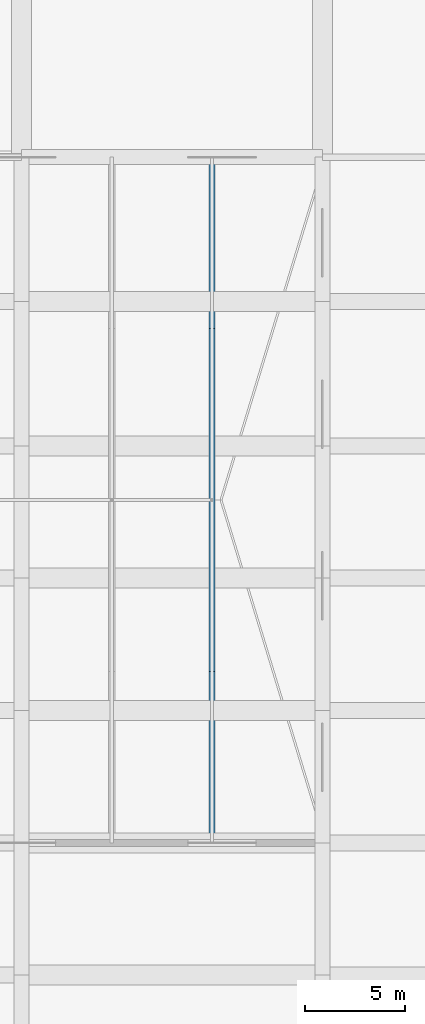
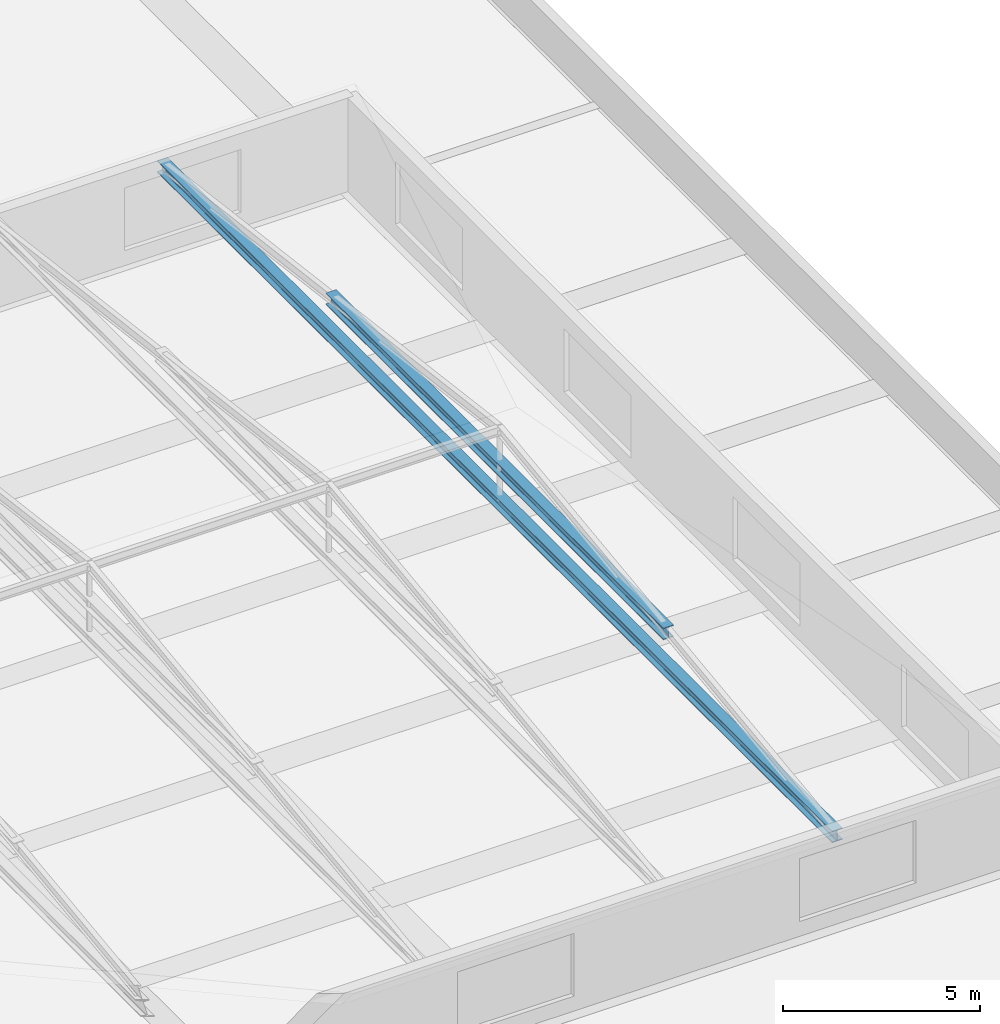
# One storey, part 29 of 49: 2 members.
"""IFC4 building model written with IfcOpenShell, lengths in metres."""

from ifc_helpers import new_model, si_unit, direction, frame, origin, origin_2d, place, context, subcontext, project, spatial, i_section, extrude, material, material_profile, profile_set, type_object, element, save


model = new_model("IFC4")

# Units and contexts
model_context = context("Model", 3, precision=1e-05, world=origin(), true_north=direction((0.0, 1.0)))
body_context = subcontext(model_context, "Body", "Model", "MODEL_VIEW")
ifc_project = project(units=[si_unit("LENGTHUNIT", "METRE"), si_unit("AREAUNIT", "SQUARE_METRE"), si_unit("VOLUMEUNIT", "CUBIC_METRE"), si_unit("PLANEANGLEUNIT", "RADIAN"), si_unit("MASSUNIT", "GRAM", prefix="KILO")], contexts=[model_context])

# Site, building, storey
site_placement = place(None, origin())
site = spatial("IfcSite", under=ifc_project, at=site_placement, CompositionType="ELEMENT")
building_placement = place(site_placement, origin())
building = spatial("IfcBuilding", under=site, at=building_placement, Name="Akrevak Sports Hall", CompositionType="ELEMENT")
storey_placement = place(building_placement, frame((0.0, 0.0, 24.14990234375)))
storey = spatial("IfcBuildingStorey", under=building, at=storey_placement, Name="L04", CompositionType="ELEMENT", Elevation=24.14990234375)

# Members
ifc_material = material(Name="Steel S355", Category="steel")
ifc_material_profile = material_profile(ifc_material, i_section(OverallWidth=0.300048828125, OverallDepth=0.360107421875, WebThickness=0.012451171875, FlangeThickness=0.0224609375, FilletRadius=0.027099609375, at=origin_2d()), Name="HEB 360", Category="steel")
ifc_profile_set = profile_set([ifc_material_profile], Name="Steel S355")
member_type = type_object("IfcMemberType", Name="STR-MEM-CHORD-HEB360", PredefinedType="CHORD", material=ifc_profile_set)
member_1_placement = place(storey_placement, frame((155.0, 43.949951171875, 3.690185546875), z_axis=(0.0, 1.0, 0.0), x_axis=(-1.0, 0.0, 0.0)))
element("IfcMember", 1, at=member_1_placement, inside=storey, type_object=member_type, Name="East Volleyball & Climbing Hall Monitor Roof Collar Tie Chord 4", PredefinedType="CHORD", context=body_context, shape_type="SweptSolid", body=[
    extrude(i_section(OverallWidth=0.300048828125, OverallDepth=0.360107421875, WebThickness=0.012451171875, FlangeThickness=0.0224609375, FilletRadius=0.027099609375, at=origin_2d()), origin(), (0.0, 0.0, 1.0), 17.10009765625),
])
member_2_placement = place(storey_placement, frame((155.0, 35.39990234375, 2.60009765625), z_axis=(0.0, 1.0, 0.0), x_axis=(-1.0, 0.0, 0.0)))
element("IfcMember", 2, at=member_2_placement, inside=storey, type_object=member_type, Name="East Volleyball & Climbing Hall Monitor Roof Bottom Tie Chord 4", PredefinedType="CHORD", context=body_context, shape_type="SweptSolid", body=[
    extrude(i_section(OverallWidth=0.300048828125, OverallDepth=0.360107421875, WebThickness=0.012451171875, FlangeThickness=0.0224609375, FilletRadius=0.027099609375, at=origin_2d()), origin(), (0.0, 0.0, 1.0), 34.2001953125),
])

save(model, "model.ifc")
